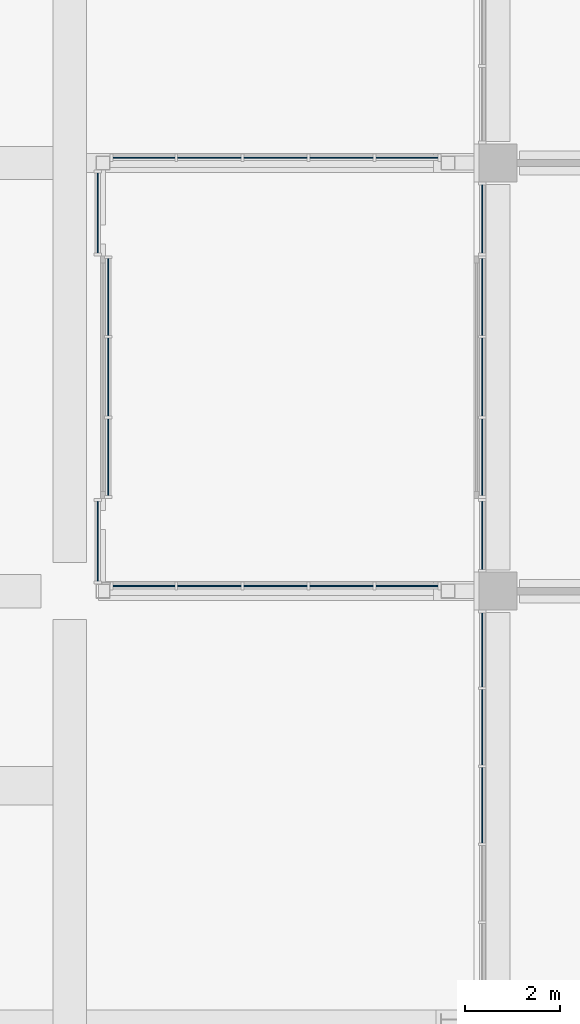
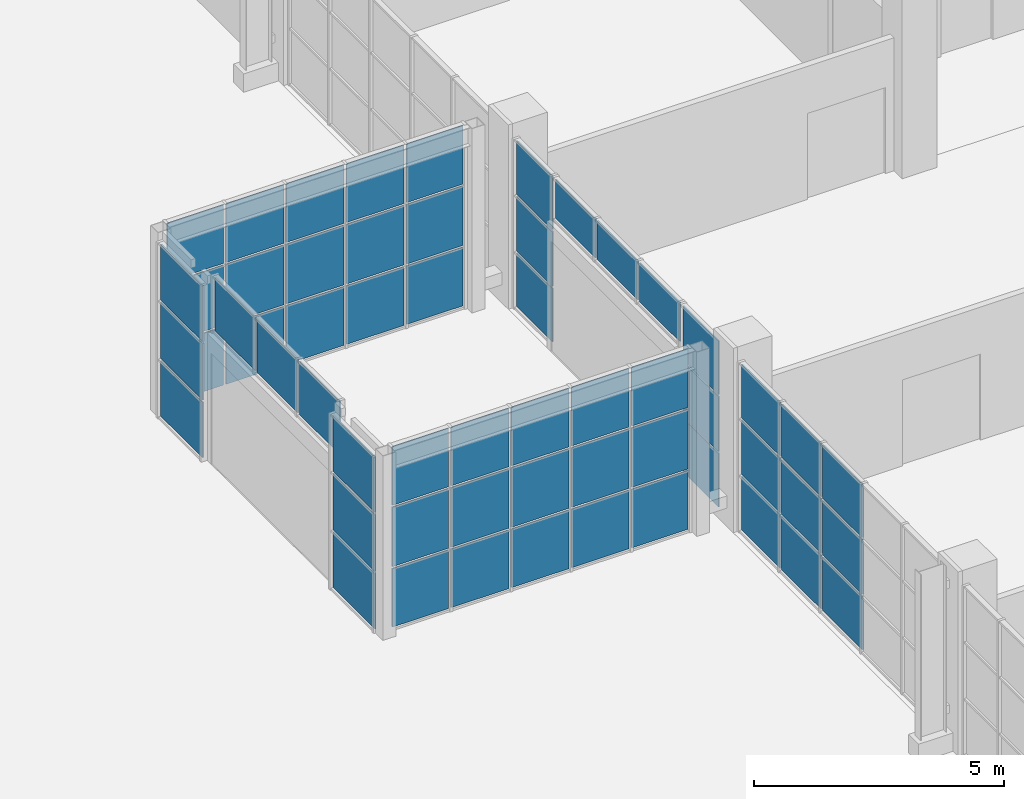
# One storey, part 76 of 168: 57 plates, 9 elements without a shape of their own.
"""IFC4 building model written with IfcOpenShell, lengths in metres."""

from ifc_helpers import new_model, si_unit, direction, frame, origin, origin_2d, place, context, subcontext, project, spatial, rectangle, extrude, material, layer, layer_set, type_object, element, aggregate, save


model = new_model("IFC4")

# Units and contexts
model_context = context("Model", 3, precision=1e-05, world=origin(), true_north=direction((0.0, 1.0)))
body_context = subcontext(model_context, "Body", "Model", "MODEL_VIEW")
ifc_project = project(units=[si_unit("LENGTHUNIT", "METRE"), si_unit("AREAUNIT", "SQUARE_METRE"), si_unit("VOLUMEUNIT", "CUBIC_METRE"), si_unit("PLANEANGLEUNIT", "RADIAN"), si_unit("MASSUNIT", "GRAM", prefix="KILO")], contexts=[model_context])

# Site, building, storey
site_placement = place(None, origin())
site = spatial("IfcSite", under=ifc_project, at=site_placement, CompositionType="ELEMENT")
building_placement = place(site_placement, origin())
building = spatial("IfcBuilding", under=site, at=building_placement, Name="Silverbay Arena", CompositionType="ELEMENT")
storey_placement = place(building_placement, frame((0.0, 0.0, 7.0)))
storey = spatial("IfcBuildingStorey", under=building, at=storey_placement, Name="L01", CompositionType="ELEMENT", Elevation=7.0)

# Curtain wall, plates
ifc_material_1 = material(Name="Aluminium framed curtain wall", Category="aluminium")
curtain_wall_type_1 = type_object("IfcCurtainWallType", Name="Curtain wall 8200 x 4150", PredefinedType="NOTDEFINED", material=ifc_material_1)
curtain_wall_1_placement = place(storey_placement, origin())
curtain_wall_1 = element("IfcCurtainWall", 1, at=curtain_wall_1_placement, inside=storey, type_object=curtain_wall_type_1, Name="West curtain wall L01 bay 4", PredefinedType="NOTDEFINED")
ifc_material_2 = material(Name="Laminated glass", Category="glass")
ifc_layer = layer(ifc_material_2, 0.028076171875)
ifc_layer_set = layer_set([ifc_layer], Name="Laminated glass")
plate_type = type_object("IfcPlateType", Name="Glass panel 28", PredefinedType="CURTAIN_PANEL", material=ifc_layer_set)
plate_1_placement = place(storey_placement, frame((26.669921875, 52.764892578125, 0.0498046875), z_axis=(0.0, 0.0, 1.0), x_axis=(0.0, -1.0, 0.0)))
plate_1 = element("IfcPlate", 2, at=plate_1_placement, type_object=plate_type, Name="CW7 panel 1.1", PredefinedType="CURTAIN_PANEL", context=body_context, shape_type="SweptSolid", body=[
    extrude(rectangle(XDim=1.550048828125, YDim=0.028076171875, at=origin_2d()), origin(), (0.0, 0.0, 1.0), 1.308349609375),
])
plate_2_placement = place(storey_placement, frame((26.669921875, 52.764892578125, 1.408203125), z_axis=(0.0, 0.0, 1.0), x_axis=(0.0, -1.0, 0.0)))
plate_2 = element("IfcPlate", 3, at=plate_2_placement, type_object=plate_type, Name="CW7 panel 1.2", PredefinedType="CURTAIN_PANEL", context=body_context, shape_type="SweptSolid", body=[
    extrude(rectangle(XDim=1.550048828125, YDim=0.028076171875, at=origin_2d()), origin(), (0.0, 0.0, 1.0), 1.333251953125),
])
plate_3_placement = place(storey_placement, frame((26.669921875, 52.764892578125, 2.79150390625), z_axis=(0.0, 0.0, 1.0), x_axis=(0.0, -1.0, 0.0)))
plate_3 = element("IfcPlate", 4, at=plate_3_placement, type_object=plate_type, Name="CW7 panel 1.3", PredefinedType="CURTAIN_PANEL", context=body_context, shape_type="SweptSolid", body=[
    extrude(rectangle(XDim=1.550048828125, YDim=0.028076171875, at=origin_2d()), origin(), (0.0, 0.0, 1.0), 1.308349609375),
])
plate_4_placement = place(storey_placement, frame((26.669921875, 51.139892578125, 0.0498046875), z_axis=(0.0, 0.0, 1.0), x_axis=(0.0, -1.0, 0.0)))
plate_4 = element("IfcPlate", 5, at=plate_4_placement, type_object=plate_type, Name="CW7 panel 2.1", PredefinedType="CURTAIN_PANEL", context=body_context, shape_type="SweptSolid", body=[
    extrude(rectangle(XDim=1.580078125, YDim=0.028076171875, at=origin_2d()), origin(), (0.0, 0.0, 1.0), 1.308349609375),
])
plate_5_placement = place(storey_placement, frame((26.669921875, 51.139892578125, 1.408203125), z_axis=(0.0, 0.0, 1.0), x_axis=(0.0, -1.0, 0.0)))
plate_5 = element("IfcPlate", 6, at=plate_5_placement, type_object=plate_type, Name="CW7 panel 2.2", PredefinedType="CURTAIN_PANEL", context=body_context, shape_type="SweptSolid", body=[
    extrude(rectangle(XDim=1.580078125, YDim=0.028076171875, at=origin_2d()), origin(), (0.0, 0.0, 1.0), 1.333251953125),
])
plate_6_placement = place(storey_placement, frame((26.669921875, 51.139892578125, 2.79150390625), z_axis=(0.0, 0.0, 1.0), x_axis=(0.0, -1.0, 0.0)))
plate_6 = element("IfcPlate", 7, at=plate_6_placement, type_object=plate_type, Name="CW7 panel 2.3", PredefinedType="CURTAIN_PANEL", context=body_context, shape_type="SweptSolid", body=[
    extrude(rectangle(XDim=1.580078125, YDim=0.028076171875, at=origin_2d()), origin(), (0.0, 0.0, 1.0), 1.308349609375),
])
plate_7_placement = place(storey_placement, frame((26.669921875, 49.5, 0.0498046875), z_axis=(0.0, 0.0, 1.0), x_axis=(0.0, -1.0, 0.0)))
plate_7 = element("IfcPlate", 8, at=plate_7_placement, type_object=plate_type, Name="CW7 panel 3.1", PredefinedType="CURTAIN_PANEL", context=body_context, shape_type="SweptSolid", body=[
    extrude(rectangle(XDim=1.580078125, YDim=0.028076171875, at=origin_2d()), origin(), (0.0, 0.0, 1.0), 1.308349609375),
])
plate_8_placement = place(storey_placement, frame((26.669921875, 49.5, 1.408203125), z_axis=(0.0, 0.0, 1.0), x_axis=(0.0, -1.0, 0.0)))
plate_8 = element("IfcPlate", 9, at=plate_8_placement, type_object=plate_type, Name="CW7 panel 3.2", PredefinedType="CURTAIN_PANEL", context=body_context, shape_type="SweptSolid", body=[
    extrude(rectangle(XDim=1.580078125, YDim=0.028076171875, at=origin_2d()), origin(), (0.0, 0.0, 1.0), 1.333251953125),
])
plate_9_placement = place(storey_placement, frame((26.669921875, 49.5, 2.79150390625), z_axis=(0.0, 0.0, 1.0), x_axis=(0.0, -1.0, 0.0)))
plate_9 = element("IfcPlate", 10, at=plate_9_placement, type_object=plate_type, Name="CW7 panel 3.3", PredefinedType="CURTAIN_PANEL", context=body_context, shape_type="SweptSolid", body=[
    extrude(rectangle(XDim=1.580078125, YDim=0.028076171875, at=origin_2d()), origin(), (0.0, 0.0, 1.0), 1.308349609375),
])
aggregate(curtain_wall_1, [plate_1, plate_2, plate_3, plate_4, plate_5, plate_6, plate_7, plate_8, plate_9])

ifc_material_3 = material(Name="Aluminium framed curtain wall", Category="aluminium")
curtain_wall_type_2 = type_object("IfcCurtainWallType", Name="Curtain wall 1550 x 4150", PredefinedType="NOTDEFINED", material=ifc_material_3)
curtain_wall_2_placement = place(storey_placement, origin())
curtain_wall_2 = element("IfcCurtainWall", 11, at=curtain_wall_2_placement, inside=storey, type_object=curtain_wall_type_2, Name="West curtain wall L01 bay 5", PredefinedType="NOTDEFINED")
plate_10_placement = place(storey_placement, frame((26.669921875, 55.175048828125, 0.0498046875), z_axis=(0.0, 0.0, 1.0), x_axis=(0.0, -1.0, 0.0)))
plate_10 = element("IfcPlate", 12, at=plate_10_placement, type_object=plate_type, Name="CW8 panel 1.1", PredefinedType="CURTAIN_PANEL", context=body_context, shape_type="SweptSolid", body=[
    extrude(rectangle(XDim=1.429931640625, YDim=0.028076171875, at=origin_2d()), origin(), (0.0, 0.0, 1.0), 1.308349609375),
])
plate_11_placement = place(storey_placement, frame((26.669921875, 55.175048828125, 1.408203125), z_axis=(0.0, 0.0, 1.0), x_axis=(0.0, -1.0, 0.0)))
plate_11 = element("IfcPlate", 13, at=plate_11_placement, type_object=plate_type, Name="CW8 panel 1.2", PredefinedType="CURTAIN_PANEL", context=body_context, shape_type="SweptSolid", body=[
    extrude(rectangle(XDim=1.429931640625, YDim=0.028076171875, at=origin_2d()), origin(), (0.0, 0.0, 1.0), 1.333251953125),
])
plate_12_placement = place(storey_placement, frame((26.669921875, 55.175048828125, 2.79150390625), z_axis=(0.0, 0.0, 1.0), x_axis=(0.0, -1.0, 0.0)))
plate_12 = element("IfcPlate", 14, at=plate_12_placement, type_object=plate_type, Name="CW8 panel 1.3", PredefinedType="CURTAIN_PANEL", context=body_context, shape_type="SweptSolid", body=[
    extrude(rectangle(XDim=1.429931640625, YDim=0.028076171875, at=origin_2d()), origin(), (0.0, 0.0, 1.0), 1.308349609375),
])
aggregate(curtain_wall_2, [plate_10, plate_11, plate_12])

curtain_wall_3_placement = place(storey_placement, origin())
curtain_wall_3 = element("IfcCurtainWall", 15, at=curtain_wall_3_placement, inside=storey, type_object=curtain_wall_type_2, Name="West curtain wall L01 bay 5", PredefinedType="NOTDEFINED")
plate_13_placement = place(storey_placement, frame((26.669921875, 61.824951171875, 0.0498046875), z_axis=(0.0, 0.0, 1.0), x_axis=(0.0, -1.0, 0.0)))
plate_13 = element("IfcPlate", 16, at=plate_13_placement, type_object=plate_type, Name="CW8 panel 1.1", PredefinedType="CURTAIN_PANEL", context=body_context, shape_type="SweptSolid", body=[
    extrude(rectangle(XDim=1.429931640625, YDim=0.028076171875, at=origin_2d()), origin(), (0.0, 0.0, 1.0), 1.308349609375),
])
plate_14_placement = place(storey_placement, frame((26.669921875, 61.824951171875, 1.408203125), z_axis=(0.0, 0.0, 1.0), x_axis=(0.0, -1.0, 0.0)))
plate_14 = element("IfcPlate", 17, at=plate_14_placement, type_object=plate_type, Name="CW8 panel 1.2", PredefinedType="CURTAIN_PANEL", context=body_context, shape_type="SweptSolid", body=[
    extrude(rectangle(XDim=1.429931640625, YDim=0.028076171875, at=origin_2d()), origin(), (0.0, 0.0, 1.0), 1.333251953125),
])
plate_15_placement = place(storey_placement, frame((26.669921875, 61.824951171875, 2.79150390625), z_axis=(0.0, 0.0, 1.0), x_axis=(0.0, -1.0, 0.0)))
plate_15 = element("IfcPlate", 18, at=plate_15_placement, type_object=plate_type, Name="CW8 panel 1.3", PredefinedType="CURTAIN_PANEL", context=body_context, shape_type="SweptSolid", body=[
    extrude(rectangle(XDim=1.429931640625, YDim=0.028076171875, at=origin_2d()), origin(), (0.0, 0.0, 1.0), 1.308349609375),
])
aggregate(curtain_wall_3, [plate_13, plate_14, plate_15])

ifc_material_4 = material(Name="Aluminium framed curtain wall", Category="aluminium")
curtain_wall_type_3 = type_object("IfcCurtainWallType", Name="Curtain wall 5100 x 1050", PredefinedType="NOTDEFINED", material=ifc_material_4)
curtain_wall_4_placement = place(storey_placement, origin())
curtain_wall_4 = element("IfcCurtainWall", 19, at=curtain_wall_4_placement, inside=storey, type_object=curtain_wall_type_3, Name="West curtain wall L01 bay 5", PredefinedType="NOTDEFINED")
plate_16_placement = place(storey_placement, frame((26.669921875, 60.18505859375, 3.14990234375), z_axis=(0.0, 0.0, 1.0), x_axis=(0.0, -1.0, 0.0)))
plate_16 = element("IfcPlate", 20, at=plate_16_placement, type_object=plate_type, Name="CW9 panel 1.1", PredefinedType="CURTAIN_PANEL", context=body_context, shape_type="SweptSolid", body=[
    extrude(rectangle(XDim=1.610107421875, YDim=0.028076171875, at=origin_2d()), origin(), (0.0, 0.0, 1.0), 0.949951171875),
])
plate_17_placement = place(storey_placement, frame((26.669921875, 58.5, 3.14990234375), z_axis=(0.0, 0.0, 1.0), x_axis=(0.0, -1.0, 0.0)))
plate_17 = element("IfcPlate", 21, at=plate_17_placement, type_object=plate_type, Name="CW9 panel 2.1", PredefinedType="CURTAIN_PANEL", context=body_context, shape_type="SweptSolid", body=[
    extrude(rectangle(XDim=1.639892578125, YDim=0.028076171875, at=origin_2d()), origin(), (0.0, 0.0, 1.0), 0.949951171875),
])
plate_18_placement = place(storey_placement, frame((26.669921875, 56.81494140625, 3.14990234375), z_axis=(0.0, 0.0, 1.0), x_axis=(0.0, -1.0, 0.0)))
plate_18 = element("IfcPlate", 22, at=plate_18_placement, type_object=plate_type, Name="CW9 panel 3.1", PredefinedType="CURTAIN_PANEL", context=body_context, shape_type="SweptSolid", body=[
    extrude(rectangle(XDim=1.610107421875, YDim=0.028076171875, at=origin_2d()), origin(), (0.0, 0.0, 1.0), 0.949951171875),
])
aggregate(curtain_wall_4, [plate_16, plate_17, plate_18])

ifc_material_5 = material(Name="Aluminium framed curtain wall", Category="aluminium")
curtain_wall_type_4 = type_object("IfcCurtainWallType", Name="Curtain wall 1800 x 4300", PredefinedType="NOTDEFINED", material=ifc_material_5)
curtain_wall_5_placement = place(storey_placement, origin())
curtain_wall_5 = element("IfcCurtainWall", 23, at=curtain_wall_5_placement, inside=storey, type_object=curtain_wall_type_4, Name="West entrance hall W0 glazing F0a", PredefinedType="NOTDEFINED")
plate_19_placement = place(storey_placement, frame((18.590087890625, 55.050048828125, 0.050048828125), z_axis=(0.0, 0.0, 1.0), x_axis=(0.0, 1.0, 0.0)))
plate_19 = element("IfcPlate", 24, at=plate_19_placement, type_object=plate_type, Name="CW49 panel 1.1", PredefinedType="CURTAIN_PANEL", context=body_context, shape_type="SweptSolid", body=[
    extrude(rectangle(XDim=1.679931640625, YDim=0.028076171875, at=origin_2d()), origin(), (0.0, 0.0, 1.0), 1.3583984375),
])
plate_20_placement = place(storey_placement, frame((18.590087890625, 55.050048828125, 1.458251953125), z_axis=(0.0, 0.0, 1.0), x_axis=(0.0, 1.0, 0.0)))
plate_20 = element("IfcPlate", 25, at=plate_20_placement, type_object=plate_type, Name="CW49 panel 1.2", PredefinedType="CURTAIN_PANEL", context=body_context, shape_type="SweptSolid", body=[
    extrude(rectangle(XDim=1.679931640625, YDim=0.028076171875, at=origin_2d()), origin(), (0.0, 0.0, 1.0), 1.38330078125),
])
plate_21_placement = place(storey_placement, frame((18.590087890625, 55.050048828125, 2.8916015625), z_axis=(0.0, 0.0, 1.0), x_axis=(0.0, 1.0, 0.0)))
plate_21 = element("IfcPlate", 26, at=plate_21_placement, type_object=plate_type, Name="CW49 panel 1.3", PredefinedType="CURTAIN_PANEL", context=body_context, shape_type="SweptSolid", body=[
    extrude(rectangle(XDim=1.679931640625, YDim=0.028076171875, at=origin_2d()), origin(), (0.0, 0.0, 1.0), 1.3583984375),
])
aggregate(curtain_wall_5, [plate_19, plate_20, plate_21])

curtain_wall_6_placement = place(storey_placement, origin())
curtain_wall_6 = element("IfcCurtainWall", 27, at=curtain_wall_6_placement, inside=storey, type_object=curtain_wall_type_4, Name="West entrance hall W0 glazing F0b", PredefinedType="NOTDEFINED")
plate_22_placement = place(storey_placement, frame((18.590087890625, 61.949951171875, 0.050048828125), z_axis=(0.0, 0.0, 1.0), x_axis=(0.0, 1.0, 0.0)))
plate_22 = element("IfcPlate", 28, at=plate_22_placement, type_object=plate_type, Name="CW49 panel 1.1", PredefinedType="CURTAIN_PANEL", context=body_context, shape_type="SweptSolid", body=[
    extrude(rectangle(XDim=1.679931640625, YDim=0.028076171875, at=origin_2d()), origin(), (0.0, 0.0, 1.0), 1.3583984375),
])
plate_23_placement = place(storey_placement, frame((18.590087890625, 61.949951171875, 1.458251953125), z_axis=(0.0, 0.0, 1.0), x_axis=(0.0, 1.0, 0.0)))
plate_23 = element("IfcPlate", 29, at=plate_23_placement, type_object=plate_type, Name="CW49 panel 1.2", PredefinedType="CURTAIN_PANEL", context=body_context, shape_type="SweptSolid", body=[
    extrude(rectangle(XDim=1.679931640625, YDim=0.028076171875, at=origin_2d()), origin(), (0.0, 0.0, 1.0), 1.38330078125),
])
plate_24_placement = place(storey_placement, frame((18.590087890625, 61.949951171875, 2.8916015625), z_axis=(0.0, 0.0, 1.0), x_axis=(0.0, 1.0, 0.0)))
plate_24 = element("IfcPlate", 30, at=plate_24_placement, type_object=plate_type, Name="CW49 panel 1.3", PredefinedType="CURTAIN_PANEL", context=body_context, shape_type="SweptSolid", body=[
    extrude(rectangle(XDim=1.679931640625, YDim=0.028076171875, at=origin_2d()), origin(), (0.0, 0.0, 1.0), 1.3583984375),
])
aggregate(curtain_wall_6, [plate_22, plate_23, plate_24])

ifc_material_6 = material(Name="Aluminium framed curtain wall", Category="aluminium")
curtain_wall_type_5 = type_object("IfcCurtainWallType", Name="Curtain wall 6950 x 4500", PredefinedType="NOTDEFINED", material=ifc_material_6)
curtain_wall_7_placement = place(storey_placement, origin())
curtain_wall_7 = element("IfcCurtainWall", 31, at=curtain_wall_7_placement, inside=storey, type_object=curtain_wall_type_5, Name="West entrance hall W0 glazing SA", PredefinedType="NOTDEFINED")
plate_25_placement = place(storey_placement, frame((19.56005859375, 54.110107421875, 0.0498046875), z_axis=(0.0, 0.0, 1.0), x_axis=(1.0, 0.0, 0.0)))
plate_25 = element("IfcPlate", 32, at=plate_25_placement, type_object=plate_type, Name="CW51 panel 1.1", PredefinedType="CURTAIN_PANEL", context=body_context, shape_type="SweptSolid", body=[
    extrude(rectangle(XDim=1.300048828125, YDim=0.028076171875, at=origin_2d()), origin(), (0.0, 0.0, 1.0), 1.425048828125),
])
plate_26_placement = place(storey_placement, frame((19.56005859375, 54.110107421875, 1.52490234375), z_axis=(0.0, 0.0, 1.0), x_axis=(1.0, 0.0, 0.0)))
plate_26 = element("IfcPlate", 33, at=plate_26_placement, type_object=plate_type, Name="CW51 panel 1.2", PredefinedType="CURTAIN_PANEL", context=body_context, shape_type="SweptSolid", body=[
    extrude(rectangle(XDim=1.300048828125, YDim=0.028076171875, at=origin_2d()), origin(), (0.0, 0.0, 1.0), 1.449951171875),
])
plate_27_placement = place(storey_placement, frame((19.56005859375, 54.110107421875, 3.02490234375), z_axis=(0.0, 0.0, 1.0), x_axis=(1.0, 0.0, 0.0)))
plate_27 = element("IfcPlate", 34, at=plate_27_placement, type_object=plate_type, Name="CW51 panel 1.3", PredefinedType="CURTAIN_PANEL", context=body_context, shape_type="SweptSolid", body=[
    extrude(rectangle(XDim=1.300048828125, YDim=0.028076171875, at=origin_2d()), origin(), (0.0, 0.0, 1.0), 1.425048828125),
])
plate_28_placement = place(storey_placement, frame((20.93505859375, 54.110107421875, 0.0498046875), z_axis=(0.0, 0.0, 1.0), x_axis=(1.0, 0.0, 0.0)))
plate_28 = element("IfcPlate", 35, at=plate_28_placement, type_object=plate_type, Name="CW51 panel 2.1", PredefinedType="CURTAIN_PANEL", context=body_context, shape_type="SweptSolid", body=[
    extrude(rectangle(XDim=1.330078125, YDim=0.028076171875, at=origin_2d()), origin(), (0.0, 0.0, 1.0), 1.425048828125),
])
plate_29_placement = place(storey_placement, frame((20.93505859375, 54.110107421875, 1.52490234375), z_axis=(0.0, 0.0, 1.0), x_axis=(1.0, 0.0, 0.0)))
plate_29 = element("IfcPlate", 36, at=plate_29_placement, type_object=plate_type, Name="CW51 panel 2.2", PredefinedType="CURTAIN_PANEL", context=body_context, shape_type="SweptSolid", body=[
    extrude(rectangle(XDim=1.330078125, YDim=0.028076171875, at=origin_2d()), origin(), (0.0, 0.0, 1.0), 1.449951171875),
])
plate_30_placement = place(storey_placement, frame((20.93505859375, 54.110107421875, 3.02490234375), z_axis=(0.0, 0.0, 1.0), x_axis=(1.0, 0.0, 0.0)))
plate_30 = element("IfcPlate", 37, at=plate_30_placement, type_object=plate_type, Name="CW51 panel 2.3", PredefinedType="CURTAIN_PANEL", context=body_context, shape_type="SweptSolid", body=[
    extrude(rectangle(XDim=1.330078125, YDim=0.028076171875, at=origin_2d()), origin(), (0.0, 0.0, 1.0), 1.425048828125),
])
plate_31_placement = place(storey_placement, frame((22.324951171875, 54.110107421875, 0.0498046875), z_axis=(0.0, 0.0, 1.0), x_axis=(1.0, 0.0, 0.0)))
plate_31 = element("IfcPlate", 38, at=plate_31_placement, type_object=plate_type, Name="CW51 panel 3.1", PredefinedType="CURTAIN_PANEL", context=body_context, shape_type="SweptSolid", body=[
    extrude(rectangle(XDim=1.330078125, YDim=0.028076171875, at=origin_2d()), origin(), (0.0, 0.0, 1.0), 1.425048828125),
])
plate_32_placement = place(storey_placement, frame((22.324951171875, 54.110107421875, 1.52490234375), z_axis=(0.0, 0.0, 1.0), x_axis=(1.0, 0.0, 0.0)))
plate_32 = element("IfcPlate", 39, at=plate_32_placement, type_object=plate_type, Name="CW51 panel 3.2", PredefinedType="CURTAIN_PANEL", context=body_context, shape_type="SweptSolid", body=[
    extrude(rectangle(XDim=1.330078125, YDim=0.028076171875, at=origin_2d()), origin(), (0.0, 0.0, 1.0), 1.449951171875),
])
plate_33_placement = place(storey_placement, frame((22.324951171875, 54.110107421875, 3.02490234375), z_axis=(0.0, 0.0, 1.0), x_axis=(1.0, 0.0, 0.0)))
plate_33 = element("IfcPlate", 40, at=plate_33_placement, type_object=plate_type, Name="CW51 panel 3.3", PredefinedType="CURTAIN_PANEL", context=body_context, shape_type="SweptSolid", body=[
    extrude(rectangle(XDim=1.330078125, YDim=0.028076171875, at=origin_2d()), origin(), (0.0, 0.0, 1.0), 1.425048828125),
])
plate_34_placement = place(storey_placement, frame((23.715087890625, 54.110107421875, 0.0498046875), z_axis=(0.0, 0.0, 1.0), x_axis=(1.0, 0.0, 0.0)))
plate_34 = element("IfcPlate", 41, at=plate_34_placement, type_object=plate_type, Name="CW51 panel 4.1", PredefinedType="CURTAIN_PANEL", context=body_context, shape_type="SweptSolid", body=[
    extrude(rectangle(XDim=1.330078125, YDim=0.028076171875, at=origin_2d()), origin(), (0.0, 0.0, 1.0), 1.425048828125),
])
plate_35_placement = place(storey_placement, frame((23.715087890625, 54.110107421875, 1.52490234375), z_axis=(0.0, 0.0, 1.0), x_axis=(1.0, 0.0, 0.0)))
plate_35 = element("IfcPlate", 42, at=plate_35_placement, type_object=plate_type, Name="CW51 panel 4.2", PredefinedType="CURTAIN_PANEL", context=body_context, shape_type="SweptSolid", body=[
    extrude(rectangle(XDim=1.330078125, YDim=0.028076171875, at=origin_2d()), origin(), (0.0, 0.0, 1.0), 1.449951171875),
])
plate_36_placement = place(storey_placement, frame((23.715087890625, 54.110107421875, 3.02490234375), z_axis=(0.0, 0.0, 1.0), x_axis=(1.0, 0.0, 0.0)))
plate_36 = element("IfcPlate", 43, at=plate_36_placement, type_object=plate_type, Name="CW51 panel 4.3", PredefinedType="CURTAIN_PANEL", context=body_context, shape_type="SweptSolid", body=[
    extrude(rectangle(XDim=1.330078125, YDim=0.028076171875, at=origin_2d()), origin(), (0.0, 0.0, 1.0), 1.425048828125),
])
plate_37_placement = place(storey_placement, frame((25.090087890625, 54.110107421875, 0.0498046875), z_axis=(0.0, 0.0, 1.0), x_axis=(1.0, 0.0, 0.0)))
plate_37 = element("IfcPlate", 44, at=plate_37_placement, type_object=plate_type, Name="CW51 panel 5.1", PredefinedType="CURTAIN_PANEL", context=body_context, shape_type="SweptSolid", body=[
    extrude(rectangle(XDim=1.300048828125, YDim=0.028076171875, at=origin_2d()), origin(), (0.0, 0.0, 1.0), 1.425048828125),
])
plate_38_placement = place(storey_placement, frame((25.090087890625, 54.110107421875, 1.52490234375), z_axis=(0.0, 0.0, 1.0), x_axis=(1.0, 0.0, 0.0)))
plate_38 = element("IfcPlate", 45, at=plate_38_placement, type_object=plate_type, Name="CW51 panel 5.2", PredefinedType="CURTAIN_PANEL", context=body_context, shape_type="SweptSolid", body=[
    extrude(rectangle(XDim=1.300048828125, YDim=0.028076171875, at=origin_2d()), origin(), (0.0, 0.0, 1.0), 1.449951171875),
])
plate_39_placement = place(storey_placement, frame((25.090087890625, 54.110107421875, 3.02490234375), z_axis=(0.0, 0.0, 1.0), x_axis=(1.0, 0.0, 0.0)))
plate_39 = element("IfcPlate", 46, at=plate_39_placement, type_object=plate_type, Name="CW51 panel 5.3", PredefinedType="CURTAIN_PANEL", context=body_context, shape_type="SweptSolid", body=[
    extrude(rectangle(XDim=1.300048828125, YDim=0.028076171875, at=origin_2d()), origin(), (0.0, 0.0, 1.0), 1.425048828125),
])
aggregate(curtain_wall_7, [plate_25, plate_26, plate_27, plate_28, plate_29, plate_30, plate_31, plate_32, plate_33, plate_34, plate_35, plate_36, plate_37, plate_38, plate_39])

curtain_wall_8_placement = place(storey_placement, origin())
curtain_wall_8 = element("IfcCurtainWall", 47, at=curtain_wall_8_placement, inside=storey, type_object=curtain_wall_type_5, Name="West entrance hall W0 glazing SB", PredefinedType="NOTDEFINED")
plate_40_placement = place(storey_placement, frame((19.56005859375, 63.110107421875, 0.0498046875), z_axis=(0.0, 0.0, 1.0), x_axis=(1.0, 0.0, 0.0)))
plate_40 = element("IfcPlate", 48, at=plate_40_placement, type_object=plate_type, Name="CW51 panel 1.1", PredefinedType="CURTAIN_PANEL", context=body_context, shape_type="SweptSolid", body=[
    extrude(rectangle(XDim=1.300048828125, YDim=0.028076171875, at=origin_2d()), origin(), (0.0, 0.0, 1.0), 1.425048828125),
])
plate_41_placement = place(storey_placement, frame((19.56005859375, 63.110107421875, 1.52490234375), z_axis=(0.0, 0.0, 1.0), x_axis=(1.0, 0.0, 0.0)))
plate_41 = element("IfcPlate", 49, at=plate_41_placement, type_object=plate_type, Name="CW51 panel 1.2", PredefinedType="CURTAIN_PANEL", context=body_context, shape_type="SweptSolid", body=[
    extrude(rectangle(XDim=1.300048828125, YDim=0.028076171875, at=origin_2d()), origin(), (0.0, 0.0, 1.0), 1.449951171875),
])
plate_42_placement = place(storey_placement, frame((19.56005859375, 63.110107421875, 3.02490234375), z_axis=(0.0, 0.0, 1.0), x_axis=(1.0, 0.0, 0.0)))
plate_42 = element("IfcPlate", 50, at=plate_42_placement, type_object=plate_type, Name="CW51 panel 1.3", PredefinedType="CURTAIN_PANEL", context=body_context, shape_type="SweptSolid", body=[
    extrude(rectangle(XDim=1.300048828125, YDim=0.028076171875, at=origin_2d()), origin(), (0.0, 0.0, 1.0), 1.425048828125),
])
plate_43_placement = place(storey_placement, frame((20.93505859375, 63.110107421875, 0.0498046875), z_axis=(0.0, 0.0, 1.0), x_axis=(1.0, 0.0, 0.0)))
plate_43 = element("IfcPlate", 51, at=plate_43_placement, type_object=plate_type, Name="CW51 panel 2.1", PredefinedType="CURTAIN_PANEL", context=body_context, shape_type="SweptSolid", body=[
    extrude(rectangle(XDim=1.330078125, YDim=0.028076171875, at=origin_2d()), origin(), (0.0, 0.0, 1.0), 1.425048828125),
])
plate_44_placement = place(storey_placement, frame((20.93505859375, 63.110107421875, 1.52490234375), z_axis=(0.0, 0.0, 1.0), x_axis=(1.0, 0.0, 0.0)))
plate_44 = element("IfcPlate", 52, at=plate_44_placement, type_object=plate_type, Name="CW51 panel 2.2", PredefinedType="CURTAIN_PANEL", context=body_context, shape_type="SweptSolid", body=[
    extrude(rectangle(XDim=1.330078125, YDim=0.028076171875, at=origin_2d()), origin(), (0.0, 0.0, 1.0), 1.449951171875),
])
plate_45_placement = place(storey_placement, frame((20.93505859375, 63.110107421875, 3.02490234375), z_axis=(0.0, 0.0, 1.0), x_axis=(1.0, 0.0, 0.0)))
plate_45 = element("IfcPlate", 53, at=plate_45_placement, type_object=plate_type, Name="CW51 panel 2.3", PredefinedType="CURTAIN_PANEL", context=body_context, shape_type="SweptSolid", body=[
    extrude(rectangle(XDim=1.330078125, YDim=0.028076171875, at=origin_2d()), origin(), (0.0, 0.0, 1.0), 1.425048828125),
])
plate_46_placement = place(storey_placement, frame((22.324951171875, 63.110107421875, 0.0498046875), z_axis=(0.0, 0.0, 1.0), x_axis=(1.0, 0.0, 0.0)))
plate_46 = element("IfcPlate", 54, at=plate_46_placement, type_object=plate_type, Name="CW51 panel 3.1", PredefinedType="CURTAIN_PANEL", context=body_context, shape_type="SweptSolid", body=[
    extrude(rectangle(XDim=1.330078125, YDim=0.028076171875, at=origin_2d()), origin(), (0.0, 0.0, 1.0), 1.425048828125),
])
plate_47_placement = place(storey_placement, frame((22.324951171875, 63.110107421875, 1.52490234375), z_axis=(0.0, 0.0, 1.0), x_axis=(1.0, 0.0, 0.0)))
plate_47 = element("IfcPlate", 55, at=plate_47_placement, type_object=plate_type, Name="CW51 panel 3.2", PredefinedType="CURTAIN_PANEL", context=body_context, shape_type="SweptSolid", body=[
    extrude(rectangle(XDim=1.330078125, YDim=0.028076171875, at=origin_2d()), origin(), (0.0, 0.0, 1.0), 1.449951171875),
])
plate_48_placement = place(storey_placement, frame((22.324951171875, 63.110107421875, 3.02490234375), z_axis=(0.0, 0.0, 1.0), x_axis=(1.0, 0.0, 0.0)))
plate_48 = element("IfcPlate", 56, at=plate_48_placement, type_object=plate_type, Name="CW51 panel 3.3", PredefinedType="CURTAIN_PANEL", context=body_context, shape_type="SweptSolid", body=[
    extrude(rectangle(XDim=1.330078125, YDim=0.028076171875, at=origin_2d()), origin(), (0.0, 0.0, 1.0), 1.425048828125),
])
plate_49_placement = place(storey_placement, frame((23.715087890625, 63.110107421875, 0.0498046875), z_axis=(0.0, 0.0, 1.0), x_axis=(1.0, 0.0, 0.0)))
plate_49 = element("IfcPlate", 57, at=plate_49_placement, type_object=plate_type, Name="CW51 panel 4.1", PredefinedType="CURTAIN_PANEL", context=body_context, shape_type="SweptSolid", body=[
    extrude(rectangle(XDim=1.330078125, YDim=0.028076171875, at=origin_2d()), origin(), (0.0, 0.0, 1.0), 1.425048828125),
])
plate_50_placement = place(storey_placement, frame((23.715087890625, 63.110107421875, 1.52490234375), z_axis=(0.0, 0.0, 1.0), x_axis=(1.0, 0.0, 0.0)))
plate_50 = element("IfcPlate", 58, at=plate_50_placement, type_object=plate_type, Name="CW51 panel 4.2", PredefinedType="CURTAIN_PANEL", context=body_context, shape_type="SweptSolid", body=[
    extrude(rectangle(XDim=1.330078125, YDim=0.028076171875, at=origin_2d()), origin(), (0.0, 0.0, 1.0), 1.449951171875),
])
plate_51_placement = place(storey_placement, frame((23.715087890625, 63.110107421875, 3.02490234375), z_axis=(0.0, 0.0, 1.0), x_axis=(1.0, 0.0, 0.0)))
plate_51 = element("IfcPlate", 59, at=plate_51_placement, type_object=plate_type, Name="CW51 panel 4.3", PredefinedType="CURTAIN_PANEL", context=body_context, shape_type="SweptSolid", body=[
    extrude(rectangle(XDim=1.330078125, YDim=0.028076171875, at=origin_2d()), origin(), (0.0, 0.0, 1.0), 1.425048828125),
])
plate_52_placement = place(storey_placement, frame((25.090087890625, 63.110107421875, 0.0498046875), z_axis=(0.0, 0.0, 1.0), x_axis=(1.0, 0.0, 0.0)))
plate_52 = element("IfcPlate", 60, at=plate_52_placement, type_object=plate_type, Name="CW51 panel 5.1", PredefinedType="CURTAIN_PANEL", context=body_context, shape_type="SweptSolid", body=[
    extrude(rectangle(XDim=1.300048828125, YDim=0.028076171875, at=origin_2d()), origin(), (0.0, 0.0, 1.0), 1.425048828125),
])
plate_53_placement = place(storey_placement, frame((25.090087890625, 63.110107421875, 1.52490234375), z_axis=(0.0, 0.0, 1.0), x_axis=(1.0, 0.0, 0.0)))
plate_53 = element("IfcPlate", 61, at=plate_53_placement, type_object=plate_type, Name="CW51 panel 5.2", PredefinedType="CURTAIN_PANEL", context=body_context, shape_type="SweptSolid", body=[
    extrude(rectangle(XDim=1.300048828125, YDim=0.028076171875, at=origin_2d()), origin(), (0.0, 0.0, 1.0), 1.449951171875),
])
plate_54_placement = place(storey_placement, frame((25.090087890625, 63.110107421875, 3.02490234375), z_axis=(0.0, 0.0, 1.0), x_axis=(1.0, 0.0, 0.0)))
plate_54 = element("IfcPlate", 62, at=plate_54_placement, type_object=plate_type, Name="CW51 panel 5.3", PredefinedType="CURTAIN_PANEL", context=body_context, shape_type="SweptSolid", body=[
    extrude(rectangle(XDim=1.300048828125, YDim=0.028076171875, at=origin_2d()), origin(), (0.0, 0.0, 1.0), 1.425048828125),
])
aggregate(curtain_wall_8, [plate_40, plate_41, plate_42, plate_43, plate_44, plate_45, plate_46, plate_47, plate_48, plate_49, plate_50, plate_51, plate_52, plate_53, plate_54])

ifc_material_7 = material(Name="Aluminium framed curtain wall", Category="aluminium")
curtain_wall_type_6 = type_object("IfcCurtainWallType", Name="Curtain wall 5100 x 1400", PredefinedType="NOTDEFINED", material=ifc_material_7)
curtain_wall_9_placement = place(storey_placement, origin())
curtain_wall_9 = element("IfcCurtainWall", 63, at=curtain_wall_9_placement, inside=storey, type_object=curtain_wall_type_6, Name="West entrance hall W0 glazing over the door", PredefinedType="NOTDEFINED")
plate_55_placement = place(storey_placement, frame((18.81005859375, 60.18505859375, 3.14990234375), z_axis=(0.0, 0.0, 1.0), x_axis=(0.0, -1.0, 0.0)))
plate_55 = element("IfcPlate", 64, at=plate_55_placement, type_object=plate_type, Name="CW39 panel 1.1", PredefinedType="CURTAIN_PANEL", context=body_context, shape_type="SweptSolid", body=[
    extrude(rectangle(XDim=1.610107421875, YDim=0.028076171875, at=origin_2d()), origin(), (0.0, 0.0, 1.0), 1.300048828125),
])
plate_56_placement = place(storey_placement, frame((18.81005859375, 58.5, 3.14990234375), z_axis=(0.0, 0.0, 1.0), x_axis=(0.0, -1.0, 0.0)))
plate_56 = element("IfcPlate", 65, at=plate_56_placement, type_object=plate_type, Name="CW39 panel 2.1", PredefinedType="CURTAIN_PANEL", context=body_context, shape_type="SweptSolid", body=[
    extrude(rectangle(XDim=1.639892578125, YDim=0.028076171875, at=origin_2d()), origin(), (0.0, 0.0, 1.0), 1.300048828125),
])
plate_57_placement = place(storey_placement, frame((18.81005859375, 56.81494140625, 3.14990234375), z_axis=(0.0, 0.0, 1.0), x_axis=(0.0, -1.0, 0.0)))
plate_57 = element("IfcPlate", 66, at=plate_57_placement, type_object=plate_type, Name="CW39 panel 3.1", PredefinedType="CURTAIN_PANEL", context=body_context, shape_type="SweptSolid", body=[
    extrude(rectangle(XDim=1.610107421875, YDim=0.028076171875, at=origin_2d()), origin(), (0.0, 0.0, 1.0), 1.300048828125),
])
aggregate(curtain_wall_9, [plate_55, plate_56, plate_57])

save(model, "model.ifc")
